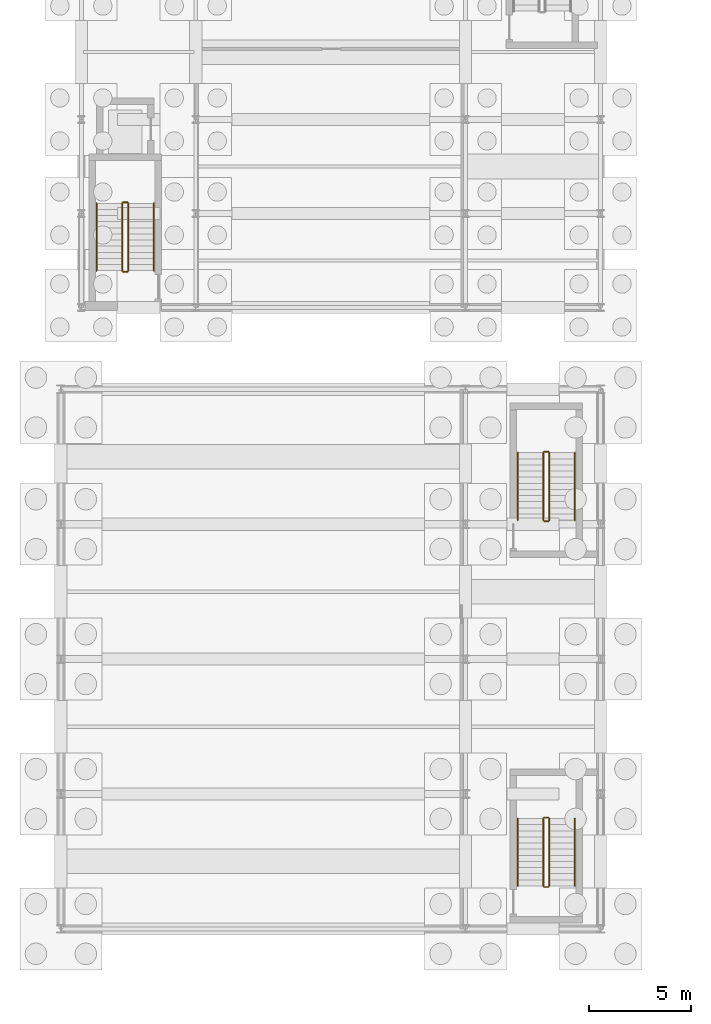
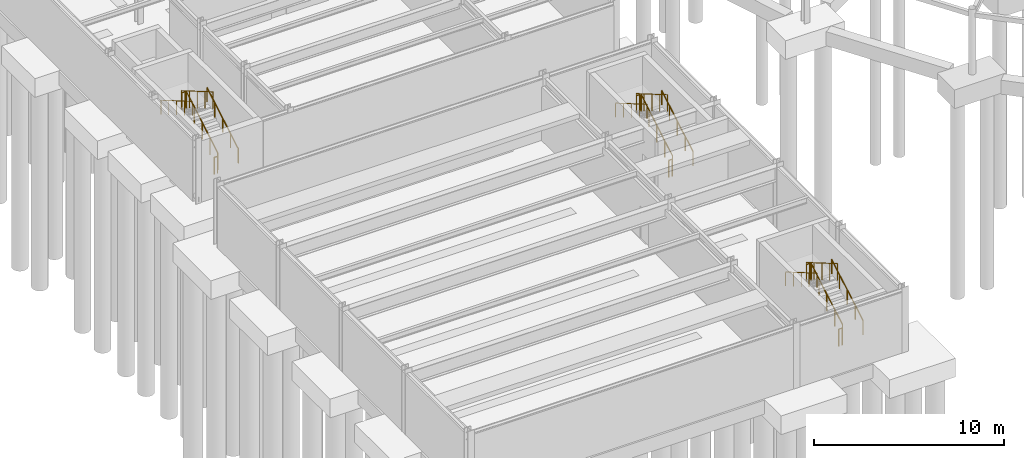
# One storey, part 51 of 58: 18 railings.
"""IFC4 building model written with IfcOpenShell, lengths in metres."""

from ifc_helpers import new_model, si_unit, direction, frame, origin, origin_2d, place, context, subcontext, project, spatial, circle, extrude, material, type_object, element, save


model = new_model("IFC4")

# Units and contexts
model_context = context("Model", 3, precision=1e-05, world=origin(), true_north=direction((0.0, 1.0)))
body_context = subcontext(model_context, "Body", "Model", "MODEL_VIEW")
ifc_project = project(units=[si_unit("LENGTHUNIT", "METRE"), si_unit("AREAUNIT", "SQUARE_METRE"), si_unit("VOLUMEUNIT", "CUBIC_METRE"), si_unit("PLANEANGLEUNIT", "RADIAN"), si_unit("MASSUNIT", "GRAM", prefix="KILO")], contexts=[model_context])

# Site, building, storey
site_placement = place(None, origin())
site = spatial("IfcSite", under=ifc_project, at=site_placement, CompositionType="ELEMENT")
building_placement = place(site_placement, origin())
building = spatial("IfcBuilding", under=site, at=building_placement, Name="Karori Crest Natural Sciences Institute", CompositionType="ELEMENT")
storey_placement = place(building_placement, frame((0.0, 0.0, -4.199951171875)))
storey = spatial("IfcBuildingStorey", under=building, at=storey_placement, Name="B1", CompositionType="ELEMENT", Elevation=-4.199951171875)

# Railings
ifc_material_1 = material(Name="Stainless steel 316 tubular handrail", Category="steel")
railing_type_1 = type_object("IfcRailingType", Name="RLT-HND", PredefinedType="HANDRAIL", material=ifc_material_1)
railing_1_placement = place(storey_placement, frame((5.35009765625, 33.0, 0.175048828125)))
element("IfcRailing", 1, at=railing_1_placement, inside=storey, type_object=railing_type_1, Name="Stair handrail RL-0311", PredefinedType="HANDRAIL", context=body_context, shape_type="SweptSolid", body=[
    extrude(circle(Radius=0.02392578125, at=origin_2d()), frame((0.0, 0.0, 0.90087890625), z_axis=(0.0, 0.863804395585, 0.503827317807), x_axis=(-1.0, 0.0, 0.0)), (0.0, 0.0, 1.0), 3.8203125),
    extrude(circle(Radius=0.02099609375, at=origin_2d()), origin(), (0.0, 0.0, 1.0), 0.876953125),
    extrude(circle(Radius=0.02099609375, at=origin_2d()), frame((0.0, 0.824951171875, 0.481201171875)), (0.0, 0.0, 1.0), 0.876953125),
    extrude(circle(Radius=0.02099609375, at=origin_2d()), frame((0.0, 1.64990234375, 0.96240234375)), (0.0, 0.0, 1.0), 0.876953125),
    extrude(circle(Radius=0.02099609375, at=origin_2d()), frame((0.0, 2.47509765625, 1.443603515625)), (0.0, 0.0, 1.0), 0.876953125),
    extrude(circle(Radius=0.02099609375, at=origin_2d()), frame((0.0, 3.300048828125, 1.9248046875)), (0.0, 0.0, 1.0), 0.876953125),
])
railing_2_placement = place(storey_placement, frame((2.550048828125, 36.300048828125, 2.27490234375)))
element("IfcRailing", 2, at=railing_2_placement, inside=storey, type_object=railing_type_1, Name="Stair handrail RL-0312", PredefinedType="HANDRAIL", context=body_context, shape_type="SweptSolid", body=[
    extrude(circle(Radius=0.02392578125, at=origin_2d()), frame((0.0, 0.0, 0.90087890625), z_axis=(0.0, -0.863776583165, 0.503874998761), x_axis=(1.0, 0.0, 0.0)), (0.0, 0.0, 1.0), 3.820556640625),
    extrude(circle(Radius=0.02099609375, at=origin_2d()), origin(), (0.0, 0.0, 1.0), 0.876953125),
    extrude(circle(Radius=0.02099609375, at=origin_2d()), frame((0.0, -0.824951171875, 0.481201171875)), (0.0, 0.0, 1.0), 0.876953125),
    extrude(circle(Radius=0.02099609375, at=origin_2d()), frame((0.0, -1.64990234375, 0.96240234375)), (0.0, 0.0, 1.0), 0.876953125),
    extrude(circle(Radius=0.02099609375, at=origin_2d()), frame((0.0, -2.47509765625, 1.44384765625)), (0.0, 0.0, 1.0), 0.876953125),
    extrude(circle(Radius=0.02099609375, at=origin_2d()), frame((0.0, -3.300048828125, 1.925048828125)), (0.0, 0.0, 1.0), 0.876953125),
])
railing_3_placement = place(storey_placement, frame((25.949951171875, 2.89990234375, 0.175048828125)))
element("IfcRailing", 3, at=railing_3_placement, inside=storey, type_object=railing_type_1, Name="Stair handrail RL-0373", PredefinedType="HANDRAIL", context=body_context, shape_type="SweptSolid", body=[
    extrude(circle(Radius=0.02392578125, at=origin_2d()), frame((0.0, 0.0, 0.90087890625), z_axis=(0.0, 0.863804395585, 0.503827317807), x_axis=(-1.0, 0.0, 0.0)), (0.0, 0.0, 1.0), 3.8203125),
    extrude(circle(Radius=0.02099609375, at=origin_2d()), origin(), (0.0, 0.0, 1.0), 0.876953125),
    extrude(circle(Radius=0.02099609375, at=origin_2d()), frame((0.0, 0.824951171875, 0.481201171875)), (0.0, 0.0, 1.0), 0.876953125),
    extrude(circle(Radius=0.02099609375, at=origin_2d()), frame((0.0, 1.64990234375, 0.96240234375)), (0.0, 0.0, 1.0), 0.876953125),
    extrude(circle(Radius=0.02099609375, at=origin_2d()), frame((0.0, 2.47509765625, 1.443603515625)), (0.0, 0.0, 1.0), 0.876953125),
    extrude(circle(Radius=0.02099609375, at=origin_2d()), frame((0.0, 3.300048828125, 1.9248046875)), (0.0, 0.0, 1.0), 0.876953125),
])
railing_4_placement = place(storey_placement, frame((23.14990234375, 6.199951171875, 2.27490234375)))
element("IfcRailing", 4, at=railing_4_placement, inside=storey, type_object=railing_type_1, Name="Stair handrail RL-0374", PredefinedType="HANDRAIL", context=body_context, shape_type="SweptSolid", body=[
    extrude(circle(Radius=0.02392578125, at=origin_2d()), frame((0.0, 0.0, 0.90087890625), z_axis=(0.0, -0.863776583165, 0.503874998761), x_axis=(1.0, 0.0, 0.0)), (0.0, 0.0, 1.0), 3.820556640625),
    extrude(circle(Radius=0.02099609375, at=origin_2d()), origin(), (0.0, 0.0, 1.0), 0.876953125),
    extrude(circle(Radius=0.02099609375, at=origin_2d()), frame((0.0, -0.824951171875, 0.481201171875)), (0.0, 0.0, 1.0), 0.876953125),
    extrude(circle(Radius=0.02099609375, at=origin_2d()), frame((0.0, -1.64990234375, 0.96240234375)), (0.0, 0.0, 1.0), 0.876953125),
    extrude(circle(Radius=0.02099609375, at=origin_2d()), frame((0.0, -2.47509765625, 1.44384765625)), (0.0, 0.0, 1.0), 0.876953125),
    extrude(circle(Radius=0.02099609375, at=origin_2d()), frame((0.0, -3.300048828125, 1.925048828125)), (0.0, 0.0, 1.0), 0.876953125),
])
railing_5_placement = place(storey_placement, frame((25.949951171875, 20.800048828125, 0.175048828125)))
element("IfcRailing", 5, at=railing_5_placement, inside=storey, type_object=railing_type_1, Name="Stair handrail RL-0392", PredefinedType="HANDRAIL", context=body_context, shape_type="SweptSolid", body=[
    extrude(circle(Radius=0.02392578125, at=origin_2d()), frame((0.0, 0.0, 0.90087890625), z_axis=(0.0, 0.863804395585, 0.503827317807), x_axis=(-1.0, 0.0, 0.0)), (0.0, 0.0, 1.0), 3.8203125),
    extrude(circle(Radius=0.02099609375, at=origin_2d()), origin(), (0.0, 0.0, 1.0), 0.876953125),
    extrude(circle(Radius=0.02099609375, at=origin_2d()), frame((0.0, 0.824951171875, 0.481201171875)), (0.0, 0.0, 1.0), 0.876953125),
    extrude(circle(Radius=0.02099609375, at=origin_2d()), frame((0.0, 1.64990234375, 0.96240234375)), (0.0, 0.0, 1.0), 0.876953125),
    extrude(circle(Radius=0.02099609375, at=origin_2d()), frame((0.0, 2.47509765625, 1.443603515625)), (0.0, 0.0, 1.0), 0.876953125),
    extrude(circle(Radius=0.02099609375, at=origin_2d()), frame((0.0, 3.300048828125, 1.9248046875)), (0.0, 0.0, 1.0), 0.876953125),
])
railing_6_placement = place(storey_placement, frame((23.14990234375, 24.10009765625, 2.27490234375)))
element("IfcRailing", 6, at=railing_6_placement, inside=storey, type_object=railing_type_1, Name="Stair handrail RL-0393", PredefinedType="HANDRAIL", context=body_context, shape_type="SweptSolid", body=[
    extrude(circle(Radius=0.02392578125, at=origin_2d()), frame((0.0, 0.0, 0.90087890625), z_axis=(0.0, -0.863776583165, 0.503874998761), x_axis=(1.0, 0.0, 0.0)), (0.0, 0.0, 1.0), 3.820556640625),
    extrude(circle(Radius=0.02099609375, at=origin_2d()), origin(), (0.0, 0.0, 1.0), 0.876953125),
    extrude(circle(Radius=0.02099609375, at=origin_2d()), frame((0.0, -0.824951171875, 0.481201171875)), (0.0, 0.0, 1.0), 0.876953125),
    extrude(circle(Radius=0.02099609375, at=origin_2d()), frame((0.0, -1.64990234375, 0.96240234375)), (0.0, 0.0, 1.0), 0.876953125),
    extrude(circle(Radius=0.02099609375, at=origin_2d()), frame((0.0, -2.47509765625, 1.44384765625)), (0.0, 0.0, 1.0), 0.876953125),
    extrude(circle(Radius=0.02099609375, at=origin_2d()), frame((0.0, -3.300048828125, 1.925048828125)), (0.0, 0.0, 1.0), 0.876953125),
])
ifc_material_2 = material(Name="Stainless steel 316 stair guard", Category="steel")
railing_type_2 = type_object("IfcRailingType", Name="RLT-STG", PredefinedType="GUARDRAIL", material=ifc_material_2)
railing_7_placement = place(storey_placement, frame((4.10009765625, 33.0, 0.175048828125)))
element("IfcRailing", 7, at=railing_7_placement, inside=storey, type_object=railing_type_2, Name="Stair guard RL-0307", PredefinedType="GUARDRAIL", context=body_context, shape_type="SweptSolid", body=[
    extrude(circle(Radius=0.02392578125, at=origin_2d()), frame((0.0, 0.0, 1.076171875), z_axis=(0.0, 0.863804395585, 0.503827317807), x_axis=(-1.0, 0.0, 0.0)), (0.0, 0.0, 1.0), 3.8203125),
    extrude(circle(Radius=0.02099609375, at=origin_2d()), origin(), (0.0, 0.0, 1.0), 1.052001953125),
    extrude(circle(Radius=0.02099609375, at=origin_2d()), frame((0.0, 0.824951171875, 0.481201171875)), (0.0, 0.0, 1.0), 1.052001953125),
    extrude(circle(Radius=0.02099609375, at=origin_2d()), frame((0.0, 1.64990234375, 0.96240234375)), (0.0, 0.0, 1.0), 1.052001953125),
    extrude(circle(Radius=0.02099609375, at=origin_2d()), frame((0.0, 2.47509765625, 1.443603515625)), (0.0, 0.0, 1.0), 1.052001953125),
    extrude(circle(Radius=0.02099609375, at=origin_2d()), frame((0.0, 3.300048828125, 1.9248046875)), (0.0, 0.0, 1.0), 1.052001953125),
])
railing_8_placement = place(storey_placement, frame((4.050048828125, 36.35009765625, 2.099853515625)))
element("IfcRailing", 8, at=railing_8_placement, inside=storey, type_object=railing_type_2, Name="Stair guard RL-0308", PredefinedType="GUARDRAIL", context=body_context, shape_type="SweptSolid", body=[
    extrude(circle(Radius=0.02392578125, at=origin_2d()), frame((0.0, 0.0, 1.076171875), z_axis=(-1.0, 0.0, 0.0), x_axis=(0.0, -1.0, 0.0)), (0.0, 0.0, 1.0), 0.199951171875),
    extrude(circle(Radius=0.02099609375, at=origin_2d()), origin(), (0.0, 0.0, 1.0), 1.052001953125),
    extrude(circle(Radius=0.02099609375, at=origin_2d()), frame((-0.199951171875, 0.0, 0.0)), (0.0, 0.0, 1.0), 1.052001953125),
])
railing_9_placement = place(storey_placement, frame((3.800048828125, 36.300048828125, 2.27490234375)))
element("IfcRailing", 9, at=railing_9_placement, inside=storey, type_object=railing_type_2, Name="Stair guard RL-0309", PredefinedType="GUARDRAIL", context=body_context, shape_type="SweptSolid", body=[
    extrude(circle(Radius=0.02392578125, at=origin_2d()), frame((0.0, 0.0, 1.076171875), z_axis=(0.0, -0.863776583165, 0.503874998761), x_axis=(1.0, 0.0, 0.0)), (0.0, 0.0, 1.0), 3.820556640625),
    extrude(circle(Radius=0.02099609375, at=origin_2d()), origin(), (0.0, 0.0, 1.0), 1.052001953125),
    extrude(circle(Radius=0.02099609375, at=origin_2d()), frame((0.0, -0.824951171875, 0.481201171875)), (0.0, 0.0, 1.0), 1.052001953125),
    extrude(circle(Radius=0.02099609375, at=origin_2d()), frame((0.0, -1.64990234375, 0.96240234375)), (0.0, 0.0, 1.0), 1.052001953125),
    extrude(circle(Radius=0.02099609375, at=origin_2d()), frame((0.0, -2.47509765625, 1.44384765625)), (0.0, 0.0, 1.0), 1.052001953125),
    extrude(circle(Radius=0.02099609375, at=origin_2d()), frame((0.0, -3.300048828125, 1.925048828125)), (0.0, 0.0, 1.0), 1.052001953125),
])
railing_10_placement = place(storey_placement, frame((4.050048828125, 32.949951171875, 0.0)))
element("IfcRailing", 10, at=railing_10_placement, inside=storey, type_object=railing_type_2, Name="Stair guard RL-0310", PredefinedType="GUARDRAIL", context=body_context, shape_type="SweptSolid", body=[
    extrude(circle(Radius=0.02392578125, at=origin_2d()), frame((0.0, 0.0, 1.076171875), z_axis=(-1.0, 0.0, 0.0), x_axis=(0.0, -1.0, 0.0)), (0.0, 0.0, 1.0), 0.199951171875),
    extrude(circle(Radius=0.02099609375, at=origin_2d()), origin(), (0.0, 0.0, 1.0), 1.052001953125),
    extrude(circle(Radius=0.02099609375, at=origin_2d()), frame((-0.199951171875, 0.0, 0.0)), (0.0, 0.0, 1.0), 1.052001953125),
])
railing_11_placement = place(storey_placement, frame((24.699951171875, 2.89990234375, 0.175048828125)))
element("IfcRailing", 11, at=railing_11_placement, inside=storey, type_object=railing_type_2, Name="Stair guard RL-0369", PredefinedType="GUARDRAIL", context=body_context, shape_type="SweptSolid", body=[
    extrude(circle(Radius=0.02392578125, at=origin_2d()), frame((0.0, 0.0, 1.076171875), z_axis=(0.0, 0.863804395585, 0.503827317807), x_axis=(-1.0, 0.0, 0.0)), (0.0, 0.0, 1.0), 3.8203125),
    extrude(circle(Radius=0.02099609375, at=origin_2d()), origin(), (0.0, 0.0, 1.0), 1.052001953125),
    extrude(circle(Radius=0.02099609375, at=origin_2d()), frame((0.0, 0.824951171875, 0.481201171875)), (0.0, 0.0, 1.0), 1.052001953125),
    extrude(circle(Radius=0.02099609375, at=origin_2d()), frame((0.0, 1.64990234375, 0.96240234375)), (0.0, 0.0, 1.0), 1.052001953125),
    extrude(circle(Radius=0.02099609375, at=origin_2d()), frame((0.0, 2.47509765625, 1.443603515625)), (0.0, 0.0, 1.0), 1.052001953125),
    extrude(circle(Radius=0.02099609375, at=origin_2d()), frame((0.0, 3.300048828125, 1.9248046875)), (0.0, 0.0, 1.0), 1.052001953125),
])
railing_12_placement = place(storey_placement, frame((24.64990234375, 6.25, 2.099853515625)))
element("IfcRailing", 12, at=railing_12_placement, inside=storey, type_object=railing_type_2, Name="Stair guard RL-0370", PredefinedType="GUARDRAIL", context=body_context, shape_type="SweptSolid", body=[
    extrude(circle(Radius=0.02392578125, at=origin_2d()), frame((0.0, 0.0, 1.076171875), z_axis=(-1.0, 0.0, 0.0), x_axis=(0.0, -1.0, 0.0)), (0.0, 0.0, 1.0), 0.199951171875),
    extrude(circle(Radius=0.02099609375, at=origin_2d()), origin(), (0.0, 0.0, 1.0), 1.052001953125),
    extrude(circle(Radius=0.02099609375, at=origin_2d()), frame((-0.199951171875, 0.0, 0.0)), (0.0, 0.0, 1.0), 1.052001953125),
])
railing_13_placement = place(storey_placement, frame((24.39990234375, 6.199951171875, 2.27490234375)))
element("IfcRailing", 13, at=railing_13_placement, inside=storey, type_object=railing_type_2, Name="Stair guard RL-0371", PredefinedType="GUARDRAIL", context=body_context, shape_type="SweptSolid", body=[
    extrude(circle(Radius=0.02392578125, at=origin_2d()), frame((0.0, 0.0, 1.076171875), z_axis=(0.0, -0.863776583165, 0.503874998761), x_axis=(1.0, 0.0, 0.0)), (0.0, 0.0, 1.0), 3.820556640625),
    extrude(circle(Radius=0.02099609375, at=origin_2d()), origin(), (0.0, 0.0, 1.0), 1.052001953125),
    extrude(circle(Radius=0.02099609375, at=origin_2d()), frame((0.0, -0.824951171875, 0.481201171875)), (0.0, 0.0, 1.0), 1.052001953125),
    extrude(circle(Radius=0.02099609375, at=origin_2d()), frame((0.0, -1.64990234375, 0.96240234375)), (0.0, 0.0, 1.0), 1.052001953125),
    extrude(circle(Radius=0.02099609375, at=origin_2d()), frame((0.0, -2.47509765625, 1.44384765625)), (0.0, 0.0, 1.0), 1.052001953125),
    extrude(circle(Radius=0.02099609375, at=origin_2d()), frame((0.0, -3.300048828125, 1.925048828125)), (0.0, 0.0, 1.0), 1.052001953125),
])
railing_14_placement = place(storey_placement, frame((24.64990234375, 2.85009765625, 0.0)))
element("IfcRailing", 14, at=railing_14_placement, inside=storey, type_object=railing_type_2, Name="Stair guard RL-0372", PredefinedType="GUARDRAIL", context=body_context, shape_type="SweptSolid", body=[
    extrude(circle(Radius=0.02392578125, at=origin_2d()), frame((0.0, 0.0, 1.076171875), z_axis=(-1.0, 0.0, 0.0), x_axis=(0.0, -1.0, 0.0)), (0.0, 0.0, 1.0), 0.199951171875),
    extrude(circle(Radius=0.02099609375, at=origin_2d()), origin(), (0.0, 0.0, 1.0), 1.052001953125),
    extrude(circle(Radius=0.02099609375, at=origin_2d()), frame((-0.199951171875, 0.0, 0.0)), (0.0, 0.0, 1.0), 1.052001953125),
])
railing_15_placement = place(storey_placement, frame((24.699951171875, 20.800048828125, 0.175048828125)))
element("IfcRailing", 15, at=railing_15_placement, inside=storey, type_object=railing_type_2, Name="Stair guard RL-0388", PredefinedType="GUARDRAIL", context=body_context, shape_type="SweptSolid", body=[
    extrude(circle(Radius=0.02392578125, at=origin_2d()), frame((0.0, 0.0, 1.076171875), z_axis=(0.0, 0.863804395585, 0.503827317807), x_axis=(-1.0, 0.0, 0.0)), (0.0, 0.0, 1.0), 3.8203125),
    extrude(circle(Radius=0.02099609375, at=origin_2d()), origin(), (0.0, 0.0, 1.0), 1.052001953125),
    extrude(circle(Radius=0.02099609375, at=origin_2d()), frame((0.0, 0.824951171875, 0.481201171875)), (0.0, 0.0, 1.0), 1.052001953125),
    extrude(circle(Radius=0.02099609375, at=origin_2d()), frame((0.0, 1.64990234375, 0.96240234375)), (0.0, 0.0, 1.0), 1.052001953125),
    extrude(circle(Radius=0.02099609375, at=origin_2d()), frame((0.0, 2.47509765625, 1.443603515625)), (0.0, 0.0, 1.0), 1.052001953125),
    extrude(circle(Radius=0.02099609375, at=origin_2d()), frame((0.0, 3.300048828125, 1.9248046875)), (0.0, 0.0, 1.0), 1.052001953125),
])
railing_16_placement = place(storey_placement, frame((24.64990234375, 24.14990234375, 2.099853515625)))
element("IfcRailing", 16, at=railing_16_placement, inside=storey, type_object=railing_type_2, Name="Stair guard RL-0389", PredefinedType="GUARDRAIL", context=body_context, shape_type="SweptSolid", body=[
    extrude(circle(Radius=0.02392578125, at=origin_2d()), frame((0.0, 0.0, 1.076171875), z_axis=(-1.0, 0.0, 0.0), x_axis=(0.0, -1.0, 0.0)), (0.0, 0.0, 1.0), 0.199951171875),
    extrude(circle(Radius=0.02099609375, at=origin_2d()), origin(), (0.0, 0.0, 1.0), 1.052001953125),
    extrude(circle(Radius=0.02099609375, at=origin_2d()), frame((-0.199951171875, 0.0, 0.0)), (0.0, 0.0, 1.0), 1.052001953125),
])
railing_17_placement = place(storey_placement, frame((24.39990234375, 24.10009765625, 2.27490234375)))
element("IfcRailing", 17, at=railing_17_placement, inside=storey, type_object=railing_type_2, Name="Stair guard RL-0390", PredefinedType="GUARDRAIL", context=body_context, shape_type="SweptSolid", body=[
    extrude(circle(Radius=0.02392578125, at=origin_2d()), frame((0.0, 0.0, 1.076171875), z_axis=(0.0, -0.863776583165, 0.503874998761), x_axis=(1.0, 0.0, 0.0)), (0.0, 0.0, 1.0), 3.820556640625),
    extrude(circle(Radius=0.02099609375, at=origin_2d()), origin(), (0.0, 0.0, 1.0), 1.052001953125),
    extrude(circle(Radius=0.02099609375, at=origin_2d()), frame((0.0, -0.824951171875, 0.481201171875)), (0.0, 0.0, 1.0), 1.052001953125),
    extrude(circle(Radius=0.02099609375, at=origin_2d()), frame((0.0, -1.64990234375, 0.96240234375)), (0.0, 0.0, 1.0), 1.052001953125),
    extrude(circle(Radius=0.02099609375, at=origin_2d()), frame((0.0, -2.47509765625, 1.44384765625)), (0.0, 0.0, 1.0), 1.052001953125),
    extrude(circle(Radius=0.02099609375, at=origin_2d()), frame((0.0, -3.300048828125, 1.925048828125)), (0.0, 0.0, 1.0), 1.052001953125),
])
railing_18_placement = place(storey_placement, frame((24.64990234375, 20.75, 0.0)))
element("IfcRailing", 18, at=railing_18_placement, inside=storey, type_object=railing_type_2, Name="Stair guard RL-0391", PredefinedType="GUARDRAIL", context=body_context, shape_type="SweptSolid", body=[
    extrude(circle(Radius=0.02392578125, at=origin_2d()), frame((0.0, 0.0, 1.076171875), z_axis=(-1.0, 0.0, 0.0), x_axis=(0.0, -1.0, 0.0)), (0.0, 0.0, 1.0), 0.199951171875),
    extrude(circle(Radius=0.02099609375, at=origin_2d()), origin(), (0.0, 0.0, 1.0), 1.052001953125),
    extrude(circle(Radius=0.02099609375, at=origin_2d()), frame((-0.199951171875, 0.0, 0.0)), (0.0, 0.0, 1.0), 1.052001953125),
])

save(model, "model.ifc")
